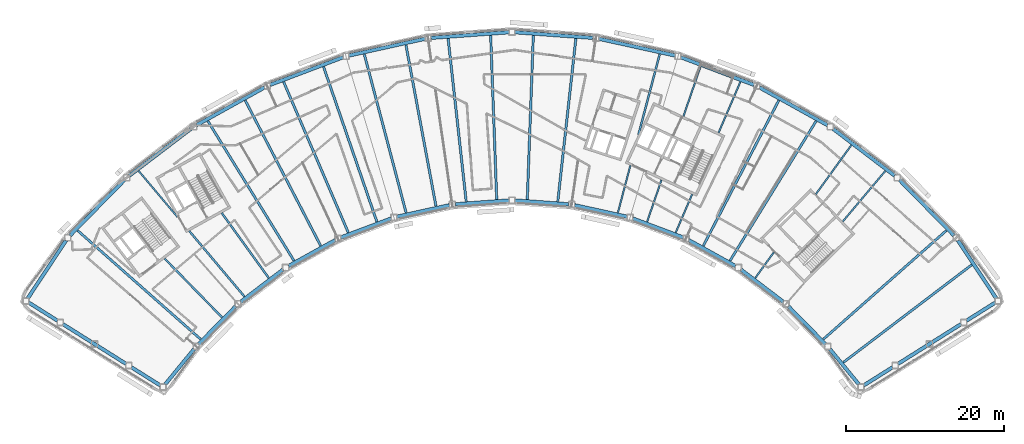
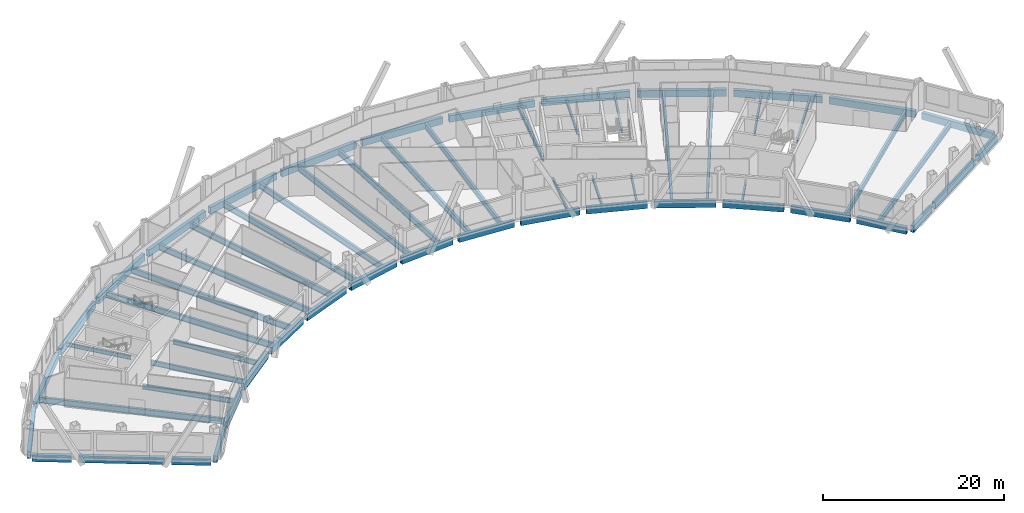
# One storey, part 3 of 14: 62 beams.
"""IFC4 building model written with IfcOpenShell, lengths in metres."""

from ifc_helpers import new_model, si_unit, direction, frame, origin, origin_2d, place, context, subcontext, project, spatial, hollow_rectangle, i_section, extrude, material, material_profile, profile_set, type_object, element, save


model = new_model("IFC4")

# Units and contexts
model_context = context("Model", 3, precision=1e-05, world=origin(), true_north=direction((0.0, 1.0)))
body_context = subcontext(model_context, "Body", "Model", "MODEL_VIEW")
ifc_project = project(units=[si_unit("LENGTHUNIT", "METRE"), si_unit("AREAUNIT", "SQUARE_METRE"), si_unit("VOLUMEUNIT", "CUBIC_METRE"), si_unit("PLANEANGLEUNIT", "RADIAN"), si_unit("MASSUNIT", "GRAM", prefix="KILO")], contexts=[model_context])

# Site, building, storey
site_placement = place(None, origin())
site = spatial("IfcSite", under=ifc_project, at=site_placement, CompositionType="ELEMENT")
building_placement = place(site_placement, origin())
building = spatial("IfcBuilding", under=site, at=building_placement, Name="Tuul Gate Civic Tower", CompositionType="ELEMENT")
storey_placement = place(building_placement, frame((0.0, 0.0, 256.800048828125)))
storey = spatial("IfcBuildingStorey", under=building, at=storey_placement, Name="Level 58", CompositionType="ELEMENT", Elevation=256.800048828125)

# Beams
ifc_material_1 = material(Name="Steel S355", Category="steel")
ifc_material_profile_1 = material_profile(ifc_material_1, i_section(OverallWidth=0.199951171875, OverallDepth=0.5, WebThickness=0.010009765625, FlangeThickness=0.01611328125, at=origin_2d()), Name="PG500x200x10x16")
ifc_profile_set_1 = profile_set([ifc_material_profile_1], Name="Steel S355")
beam_type_1 = type_object("IfcBeamType", Name="STR-FLOOR BEAM-PG500x200x10x16", PredefinedType="BEAM", material=ifc_profile_set_1)
beam_1_placement = place(storey_placement, frame((53.012939453125, -10.570068359375, -0.550048828125), z_axis=(0.644124963716, 0.764920277622, 0.0), x_axis=(-0.764920277622, 0.644124963716, 0.0)))
element("IfcBeam", 1, at=beam_1_placement, inside=storey, type_object=beam_type_1, Name="Floor beam", PredefinedType="BEAM", context=body_context, shape_type="SweptSolid", body=[
    extrude(i_section(OverallWidth=0.199951171875, OverallDepth=0.5, WebThickness=0.010009765625, FlangeThickness=0.01611328125, at=origin_2d()), origin(), (0.0, 0.0, 1.0), 8.367431640625),
])
beam_2_placement = place(storey_placement, frame((41.900390625, -17.74755859375, -0.550048828125), z_axis=(0.58608498793, 0.810249583106, 0.0), x_axis=(-0.810249583106, 0.58608498793, 0.0)))
element("IfcBeam", 2, at=beam_2_placement, inside=storey, type_object=beam_type_1, Name="Floor beam", PredefinedType="BEAM", context=body_context, shape_type="SweptSolid", body=[
    extrude(i_section(OverallWidth=0.199951171875, OverallDepth=0.5, WebThickness=0.010009765625, FlangeThickness=0.01611328125, at=origin_2d()), origin(), (0.0, 0.0, 1.0), 4.017822265625),
])
beam_3_placement = place(storey_placement, frame((49.606201171875, -7.094482421875, -0.550048828125), z_axis=(0.586082829809, 0.810251144154, 0.0), x_axis=(-0.810251144154, 0.586082829809, 0.0)))
element("IfcBeam", 3, at=beam_3_placement, inside=storey, type_object=beam_type_1, Name="Floor beam", PredefinedType="BEAM", context=body_context, shape_type="SweptSolid", body=[
    extrude(i_section(OverallWidth=0.199951171875, OverallDepth=0.5, WebThickness=0.010009765625, FlangeThickness=0.01611328125, at=origin_2d()), origin(), (0.0, 0.0, 1.0), 7.658447265625),
])
beam_4_placement = place(storey_placement, frame((31.8076171875, -11.986328125, -0.550048828125), z_axis=(0.394180828633, 0.919032901663, 0.0), x_axis=(-0.919032901663, 0.394180828633, 0.0)))
element("IfcBeam", 4, at=beam_4_placement, inside=storey, type_object=beam_type_1, Name="Floor beam", PredefinedType="BEAM", context=body_context, shape_type="SweptSolid", body=[
    extrude(i_section(OverallWidth=0.199951171875, OverallDepth=0.5, WebThickness=0.010009765625, FlangeThickness=0.01611328125, at=origin_2d()), origin(), (0.0, 0.0, 1.0), 5.294921875),
])
beam_5_placement = place(storey_placement, frame((37.247314453125, 0.695556640625, -0.550048828125), z_axis=(0.394187897698, 0.91902986965, 0.0), x_axis=(-0.91902986965, 0.394187897698, 0.0)))
element("IfcBeam", 5, at=beam_5_placement, inside=storey, type_object=beam_type_1, Name="Floor beam", PredefinedType="BEAM", context=body_context, shape_type="SweptSolid", body=[
    extrude(i_section(OverallWidth=0.199951171875, OverallDepth=0.5, WebThickness=0.010009765625, FlangeThickness=0.01611328125, at=origin_2d()), origin(), (0.0, 0.0, 1.0), 7.020263671875),
])
beam_6_placement = place(storey_placement, frame((28.17724609375, -10.613525390625, -0.550048828125), z_axis=(0.32546385433, 0.945554482579, 0.0), x_axis=(-0.945554482579, 0.32546385433, 0.0)))
element("IfcBeam", 6, at=beam_6_placement, inside=storey, type_object=beam_type_1, Name="Floor beam", PredefinedType="BEAM", context=body_context, shape_type="SweptSolid", body=[
    extrude(i_section(OverallWidth=0.199951171875, OverallDepth=0.5, WebThickness=0.010009765625, FlangeThickness=0.01611328125, at=origin_2d()), origin(), (0.0, 0.0, 1.0), 5.61328125),
])
beam_7_placement = place(storey_placement, frame((32.7861328125, 2.775634765625, -0.550048828125), z_axis=(0.325498409491, 0.94554258784, 0.0), x_axis=(-0.94554258784, 0.325498409491, 0.0)))
element("IfcBeam", 7, at=beam_7_placement, inside=storey, type_object=beam_type_1, Name="Floor beam", PredefinedType="BEAM", context=body_context, shape_type="SweptSolid", body=[
    extrude(i_section(OverallWidth=0.199951171875, OverallDepth=0.5, WebThickness=0.010009765625, FlangeThickness=0.01611328125, at=origin_2d()), origin(), (0.0, 0.0, 1.0), 6.649169921875),
])
beam_8_placement = place(storey_placement, frame((24.469482421875, -9.467041015625, -0.550048828125), z_axis=(0.254996491749, 0.966941978195, 0.0), x_axis=(-0.966941978195, 0.254996491749, 0.0)))
element("IfcBeam", 8, at=beam_8_placement, inside=storey, type_object=beam_type_1, Name="Floor beam", PredefinedType="BEAM", context=body_context, shape_type="SweptSolid", body=[
    extrude(i_section(OverallWidth=0.199951171875, OverallDepth=0.5, WebThickness=0.010009765625, FlangeThickness=0.01611328125, at=origin_2d()), origin(), (0.0, 0.0, 1.0), 6.208984375),
])
beam_9_placement = place(storey_placement, frame((-31.43212890625, -9.998779296875, -0.550048828125), z_axis=(-0.644120948452, 0.764923658782, 0.0), x_axis=(-0.764923658782, -0.644120948452, 0.0)))
element("IfcBeam", 9, at=beam_9_placement, inside=storey, type_object=beam_type_1, Name="Floor beam", PredefinedType="BEAM", context=body_context, shape_type="SweptSolid", body=[
    extrude(i_section(OverallWidth=0.199951171875, OverallDepth=0.5, WebThickness=0.010009765625, FlangeThickness=0.01611328125, at=origin_2d()), origin(), (0.0, 0.0, 1.0), 7.62109375),
])
ifc_material_2 = material(Name="Steel S355", Category="steel")
ifc_material_profile_2 = material_profile(ifc_material_2, i_section(OverallWidth=0.25, OverallDepth=0.64990234375, WebThickness=0.011962890625, FlangeThickness=0.02001953125, at=origin_2d()), Name="PG650x250x12x20")
ifc_profile_set_2 = profile_set([ifc_material_profile_2], Name="Steel S355")
beam_type_2 = type_object("IfcBeamType", Name="STR-FLOOR BEAM-PG650x250x12x20", PredefinedType="BEAM", material=ifc_profile_set_2)
beam_10_placement = place(storey_placement, frame((27.08447265625, 0.44873046875, -0.625), z_axis=(0.255007501185, 0.966939074782, 0.0), x_axis=(-0.966939074782, 0.255007501185, 0.0)))
element("IfcBeam", 10, at=beam_10_placement, inside=storey, type_object=beam_type_2, Name="Floor beam", PredefinedType="BEAM", context=body_context, shape_type="SweptSolid", body=[
    extrude(i_section(OverallWidth=0.25, OverallDepth=0.64990234375, WebThickness=0.011962890625, FlangeThickness=0.02001953125, at=origin_2d()), origin(), (0.0, 0.0, 1.0), 10.562744140625),
])
beam_11_placement = place(storey_placement, frame((-19.838623046875, -17.747314453125, -0.625), z_axis=(-0.586080278924, 0.810252989292, 0.0), x_axis=(-0.810252989292, -0.586080278924, 0.0)))
element("IfcBeam", 11, at=beam_11_placement, inside=storey, type_object=beam_type_2, Name="Floor beam", PredefinedType="BEAM", context=body_context, shape_type="SweptSolid", body=[
    extrude(i_section(OverallWidth=0.25, OverallDepth=0.64990234375, WebThickness=0.011962890625, FlangeThickness=0.02001953125, at=origin_2d()), origin(), (0.0, 0.0, 1.0), 10.18505859375),
])
beam_12_placement = place(storey_placement, frame((-22.927001953125, -20.0986328125, -0.625), z_axis=(-0.644130906332, 0.764915273418, 0.0), x_axis=(-0.764915273418, -0.644130906332, 0.0)))
element("IfcBeam", 12, at=beam_12_placement, inside=storey, type_object=beam_type_2, Name="Floor beam", PredefinedType="BEAM", context=body_context, shape_type="SweptSolid", body=[
    extrude(i_section(OverallWidth=0.25, OverallDepth=0.64990234375, WebThickness=0.011962890625, FlangeThickness=0.02001953125, at=origin_2d()), origin(), (0.0, 0.0, 1.0), 10.87451171875),
])
beam_13_placement = place(storey_placement, frame((-25.767333984375, -22.744140625, -0.625), z_axis=(-0.698680484376, 0.715433840933, 0.0), x_axis=(-0.715433840933, -0.698680484376, 0.0)))
element("IfcBeam", 13, at=beam_13_placement, inside=storey, type_object=beam_type_2, Name="Floor beam", PredefinedType="BEAM", context=body_context, shape_type="SweptSolid", body=[
    extrude(i_section(OverallWidth=0.25, OverallDepth=0.64990234375, WebThickness=0.011962890625, FlangeThickness=0.02001953125, at=origin_2d()), origin(), (0.0, 0.0, 1.0), 10.43408203125),
])
ifc_material_3 = material(Name="Steel S355", Category="steel")
ifc_material_profile_3 = material_profile(ifc_material_3, i_section(OverallWidth=0.300048828125, OverallDepth=0.800048828125, WebThickness=0.013916015625, FlangeThickness=0.02490234375, at=origin_2d()), Name="PG800x300x14x25")
ifc_profile_set_3 = profile_set([ifc_material_profile_3], Name="Steel S355")
beam_type_3 = type_object("IfcBeamType", Name="STR-FLOOR BEAM-PG800x300x14x25", PredefinedType="BEAM", material=ifc_profile_set_3)
beam_14_placement = place(storey_placement, frame((53.0859375, -28.4609375, -0.699951171875), z_axis=(0.796147939121, 0.605102023657, 0.0), x_axis=(-0.605102023657, 0.796147939121, 0.0)))
element("IfcBeam", 14, at=beam_14_placement, inside=storey, type_object=beam_type_3, Name="Floor beam", PredefinedType="BEAM", context=body_context, shape_type="SweptSolid", body=[
    extrude(i_section(OverallWidth=0.300048828125, OverallDepth=0.800048828125, WebThickness=0.013916015625, FlangeThickness=0.02490234375, at=origin_2d()), origin(), (0.0, 0.0, 1.0), 20.4619140625),
])
beam_15_placement = place(storey_placement, frame((50.546630859375, -25.51611328125, -0.699951171875), z_axis=(0.749454599758, 0.662055740026, 0.0), x_axis=(-0.662055740026, 0.749454599758, 0.0)))
element("IfcBeam", 15, at=beam_15_placement, inside=storey, type_object=beam_type_3, Name="Floor beam", PredefinedType="BEAM", context=body_context, shape_type="SweptSolid", body=[
    extrude(i_section(OverallWidth=0.300048828125, OverallDepth=0.800048828125, WebThickness=0.013916015625, FlangeThickness=0.02490234375, at=origin_2d()), origin(), (0.0, 0.0, 1.0), 20.82763671875),
])
beam_16_placement = place(storey_placement, frame((38.69677734375, -15.556396484375, -0.699951171875), z_axis=(0.524851468826, 0.851193829672, 0.0), x_axis=(-0.851193829672, 0.524851468826, 0.0)))
element("IfcBeam", 16, at=beam_16_placement, inside=storey, type_object=beam_type_3, Name="Floor beam", PredefinedType="BEAM", context=body_context, shape_type="SweptSolid", body=[
    extrude(i_section(OverallWidth=0.300048828125, OverallDepth=0.800048828125, WebThickness=0.013916015625, FlangeThickness=0.02490234375, at=origin_2d()), origin(), (0.0, 0.0, 1.0), 20.822998046875),
])
beam_17_placement = place(storey_placement, frame((35.30224609375, -13.67431640625, -0.699951171875), z_axis=(0.460781503105, 0.887513609133, 0.0), x_axis=(-0.887513609133, 0.460781503105, 0.0)))
element("IfcBeam", 17, at=beam_17_placement, inside=storey, type_object=beam_type_3, Name="Floor beam", PredefinedType="BEAM", context=body_context, shape_type="SweptSolid", body=[
    extrude(i_section(OverallWidth=0.300048828125, OverallDepth=0.800048828125, WebThickness=0.013916015625, FlangeThickness=0.02490234375, at=origin_2d()), origin(), (0.0, 0.0, 1.0), 20.807861328125),
])
beam_18_placement = place(storey_placement, frame((16.84228515625, -8.052001953125, -0.699951171875), z_axis=(0.110274472783, 0.993901172478, 0.0), x_axis=(-0.993901172478, 0.110274472783, 0.0)))
element("IfcBeam", 18, at=beam_18_placement, inside=storey, type_object=beam_type_3, Name="Floor beam", PredefinedType="BEAM", context=body_context, shape_type="SweptSolid", body=[
    extrude(i_section(OverallWidth=0.300048828125, OverallDepth=0.800048828125, WebThickness=0.013916015625, FlangeThickness=0.02490234375, at=origin_2d()), origin(), (0.0, 0.0, 1.0), 20.8154296875),
])
for number, where, z_axis, x_axis, name in (
    (19, (12.971435546875, -7.771728515625, -0.699951171875), (0.036820764609, 0.999321885727, 0.0), (-0.999321885727, 0.036820764609, 0.0), "Floor beam"),
    (20, (9.090576171875, -7.771728515625, -0.699951171875), (-0.036832478792, 0.999321454041, 0.0), (-0.999321454041, -0.036832478792, 0.0), "Floor beam"),
):
    element("IfcBeam", number, at=place(storey_placement, frame(where, z_axis=z_axis, x_axis=x_axis)), inside=storey, type_object=beam_type_3, Name=name, PredefinedType="BEAM", context=body_context, shape_type="SweptSolid", body=[
        extrude(i_section(OverallWidth=0.300048828125, OverallDepth=0.800048828125, WebThickness=0.013916015625, FlangeThickness=0.02490234375, at=origin_2d()), origin(), (0.0, 0.0, 1.0), 20.813232421875),
    ])
beam_19_placement = place(storey_placement, frame((5.2197265625, -8.052001953125, -0.699951171875), z_axis=(-0.110286058964, 0.993899886909, 0.0), x_axis=(-0.993899886909, -0.110286058964, 0.0)))
element("IfcBeam", 21, at=beam_19_placement, inside=storey, type_object=beam_type_3, Name="Floor beam", PredefinedType="BEAM", context=body_context, shape_type="SweptSolid", body=[
    extrude(i_section(OverallWidth=0.300048828125, OverallDepth=0.800048828125, WebThickness=0.013916015625, FlangeThickness=0.02490234375, at=origin_2d()), origin(), (0.0, 0.0, 1.0), 20.8154296875),
])
beam_20_placement = place(storey_placement, frame((1.38232421875, -8.631591796875, -0.699951171875), z_axis=(-0.1831360046, 0.983087587054, 0.0), x_axis=(-0.983087587054, -0.1831360046, 0.0)))
element("IfcBeam", 22, at=beam_20_placement, inside=storey, type_object=beam_type_3, Name="Floor beam", PredefinedType="BEAM", context=body_context, shape_type="SweptSolid", body=[
    extrude(i_section(OverallWidth=0.300048828125, OverallDepth=0.800048828125, WebThickness=0.013916015625, FlangeThickness=0.02490234375, at=origin_2d()), origin(), (0.0, 0.0, 1.0), 20.811279296875),
])
beam_21_placement = place(storey_placement, frame((-2.40771484375, -9.467041015625, -0.699951171875), z_axis=(-0.255004720301, 0.96693980817, 0.0), x_axis=(-0.96693980817, -0.255004720301, 0.0)))
element("IfcBeam", 23, at=beam_21_placement, inside=storey, type_object=beam_type_3, Name="Floor beam", PredefinedType="BEAM", context=body_context, shape_type="SweptSolid", body=[
    extrude(i_section(OverallWidth=0.300048828125, OverallDepth=0.800048828125, WebThickness=0.013916015625, FlangeThickness=0.02490234375, at=origin_2d()), origin(), (0.0, 0.0, 1.0), 20.817626953125),
])
beam_22_placement = place(storey_placement, frame((-6.115478515625, -10.613525390625, -0.699951171875), z_axis=(-0.325476485131, 0.945550134909, 0.0), x_axis=(-0.945550134909, -0.325476485131, 0.0)))
element("IfcBeam", 24, at=beam_22_placement, inside=storey, type_object=beam_type_3, Name="Floor beam", PredefinedType="BEAM", context=body_context, shape_type="SweptSolid", body=[
    extrude(i_section(OverallWidth=0.300048828125, OverallDepth=0.800048828125, WebThickness=0.013916015625, FlangeThickness=0.02490234375, at=origin_2d()), origin(), (0.0, 0.0, 1.0), 20.809326171875),
])
beam_23_placement = place(storey_placement, frame((-9.74560546875, -11.986328125, -0.699951171875), z_axis=(-0.394206576273, 0.919021857859, 0.0), x_axis=(-0.919021857859, -0.394206576273, 0.0)))
element("IfcBeam", 25, at=beam_23_placement, inside=storey, type_object=beam_type_3, Name="Floor beam", PredefinedType="BEAM", context=body_context, shape_type="SweptSolid", body=[
    extrude(i_section(OverallWidth=0.300048828125, OverallDepth=0.800048828125, WebThickness=0.013916015625, FlangeThickness=0.02490234375, at=origin_2d()), origin(), (0.0, 0.0, 1.0), 20.81982421875),
])
beam_24_placement = place(storey_placement, frame((-13.240478515625, -13.674072265625, -0.699951171875), z_axis=(-0.460777059353, 0.887515916237, 0.0), x_axis=(-0.887515916237, -0.460777059353, 0.0)))
element("IfcBeam", 26, at=beam_24_placement, inside=storey, type_object=beam_type_3, Name="Floor beam", PredefinedType="BEAM", context=body_context, shape_type="SweptSolid", body=[
    extrude(i_section(OverallWidth=0.300048828125, OverallDepth=0.800048828125, WebThickness=0.013916015625, FlangeThickness=0.02490234375, at=origin_2d()), origin(), (0.0, 0.0, 1.0), 20.8076171875),
])
beam_25_placement = place(storey_placement, frame((-16.63525390625, -15.55615234375, -0.699951171875), z_axis=(-0.524839716817, 0.851201075922, 0.0), x_axis=(-0.851201075922, -0.524839716817, 0.0)))
element("IfcBeam", 27, at=beam_25_placement, inside=storey, type_object=beam_type_3, Name="Floor beam", PredefinedType="BEAM", context=body_context, shape_type="SweptSolid", body=[
    extrude(i_section(OverallWidth=0.300048828125, OverallDepth=0.800048828125, WebThickness=0.013916015625, FlangeThickness=0.02490234375, at=origin_2d()), origin(), (0.0, 0.0, 1.0), 20.822509765625),
])
beam_26_placement = place(storey_placement, frame((-28.48486328125, -25.51611328125, -0.699951171875), z_axis=(-0.749449461751, 0.662061556263, 0.0), x_axis=(-0.662061556263, -0.749449461751, 0.0)))
element("IfcBeam", 28, at=beam_26_placement, inside=storey, type_object=beam_type_3, Name="Floor beam", PredefinedType="BEAM", context=body_context, shape_type="SweptSolid", body=[
    extrude(i_section(OverallWidth=0.300048828125, OverallDepth=0.800048828125, WebThickness=0.013916015625, FlangeThickness=0.02490234375, at=origin_2d()), origin(), (0.0, 0.0, 1.0), 20.827392578125),
])
ifc_material_4 = material(Name="Steel S355", Category="steel")
ifc_material_profile_4 = material_profile(ifc_material_4, hollow_rectangle(XDim=0.449951171875, YDim=0.89990234375, WallThickness=0.02490234375, at=origin_2d()), Name="BOX900x450x25")
ifc_profile_set_4 = profile_set([ifc_material_profile_4], Name="Steel S355")
beam_type_4 = type_object("IfcBeamType", Name="STR-SPANDREL BEAM-BOX900x450x25", PredefinedType="BEAM", material=ifc_profile_set_4)
beam_27_placement = place(storey_placement, frame((72.4814453125, -20.3203125, -0.75), z_axis=(-0.551644580762, 0.834079286708, 0.0), x_axis=(-0.834079286708, -0.551644580762, 0.0)))
element("IfcBeam", 29, at=beam_27_placement, inside=storey, type_object=beam_type_4, Name="Spandrel beam", PredefinedType="BEAM", context=body_context, shape_type="SweptSolid", body=[
    extrude(hollow_rectangle(XDim=0.449951171875, YDim=0.89990234375, WallThickness=0.02490234375, at=origin_2d()), origin(), (0.0, 0.0, 1.0), 8.805908203125),
])
beam_28_placement = place(storey_placement, frame((67.123046875, -12.3564453125, -0.75), z_axis=(-0.700052630296, 0.714091251042, 0.0), x_axis=(-0.714091251042, -0.700052630296, 0.0)))
element("IfcBeam", 30, at=beam_28_placement, inside=storey, type_object=beam_type_4, Name="Spandrel beam", PredefinedType="BEAM", context=body_context, shape_type="SweptSolid", body=[
    extrude(hollow_rectangle(XDim=0.449951171875, YDim=0.89990234375, WallThickness=0.02490234375, at=origin_2d()), origin(), (0.0, 0.0, 1.0), 9.8779296875),
])
beam_29_placement = place(storey_placement, frame((59.60986328125, -4.774658203125, -0.75), z_axis=(-0.795586019059, 0.605840644294, 0.0), x_axis=(-0.605840644294, -0.795586019059, 0.0)))
element("IfcBeam", 31, at=beam_29_placement, inside=storey, type_object=beam_type_4, Name="Spandrel beam", PredefinedType="BEAM", context=body_context, shape_type="SweptSolid", body=[
    extrude(hollow_rectangle(XDim=0.449951171875, YDim=0.89990234375, WallThickness=0.02490234375, at=origin_2d()), origin(), (0.0, 0.0, 1.0), 9.877685546875),
])
beam_30_placement = place(storey_placement, frame((51.083251953125, 1.64599609375, -0.75), z_axis=(-0.874631416408, 0.484788495565, 0.0), x_axis=(-0.484788495565, -0.874631416408, 0.0)))
element("IfcBeam", 32, at=beam_30_placement, inside=storey, type_object=beam_type_4, Name="Spandrel beam", PredefinedType="BEAM", context=body_context, shape_type="SweptSolid", body=[
    extrude(hollow_rectangle(XDim=0.449951171875, YDim=0.89990234375, WallThickness=0.02490234375, at=origin_2d()), origin(), (0.0, 0.0, 1.0), 9.876708984375),
])
beam_31_placement = place(storey_placement, frame((41.720947265625, 6.76953125, -0.75), z_axis=(-0.935348375613, 0.353727884451, 0.0), x_axis=(-0.353727884451, -0.935348375613, 0.0)))
element("IfcBeam", 33, at=beam_31_placement, inside=storey, type_object=beam_type_4, Name="Spandrel beam", PredefinedType="BEAM", context=body_context, shape_type="SweptSolid", body=[
    extrude(hollow_rectangle(XDim=0.449951171875, YDim=0.89990234375, WallThickness=0.02490234375, at=origin_2d()), origin(), (0.0, 0.0, 1.0), 9.87744140625),
])
beam_32_placement = place(storey_placement, frame((31.71728515625, 10.490966796875, -0.75), z_axis=(-0.976565880984, 0.215218679716, 0.0), x_axis=(-0.215218679716, -0.976565880984, 0.0)))
element("IfcBeam", 34, at=beam_32_placement, inside=storey, type_object=beam_type_4, Name="Spandrel beam", PredefinedType="BEAM", context=body_context, shape_type="SweptSolid", body=[
    extrude(hollow_rectangle(XDim=0.449951171875, YDim=0.89990234375, WallThickness=0.02490234375, at=origin_2d()), origin(), (0.0, 0.0, 1.0), 9.878173828125),
])
beam_33_placement = place(storey_placement, frame((21.281005859375, 12.73193359375, -0.75), z_axis=(-0.997389983978, 0.072202630563, 0.0), x_axis=(-0.072202630563, -0.997389983978, 0.0)))
element("IfcBeam", 35, at=beam_33_placement, inside=storey, type_object=beam_type_4, Name="Spandrel beam", PredefinedType="BEAM", context=body_context, shape_type="SweptSolid", body=[
    extrude(hollow_rectangle(XDim=0.449951171875, YDim=0.89990234375, WallThickness=0.02490234375, at=origin_2d()), origin(), (0.0, 0.0, 1.0), 9.876953125),
])
beam_34_placement = place(storey_placement, frame((10.632080078125, 13.445068359375, -0.75), z_axis=(-0.997390499353, -0.072195510943, 0.0), x_axis=(0.072195510943, -0.997390499353, 0.0)))
element("IfcBeam", 36, at=beam_34_placement, inside=storey, type_object=beam_type_4, Name="Spandrel beam", PredefinedType="BEAM", context=body_context, shape_type="SweptSolid", body=[
    extrude(hollow_rectangle(XDim=0.449951171875, YDim=0.89990234375, WallThickness=0.02490234375, at=origin_2d()), origin(), (0.0, 0.0, 1.0), 9.8779296875),
])
beam_35_placement = place(storey_placement, frame((-0.009521484375, 12.616943359375, -0.75), z_axis=(-0.97656649642, -0.215215887123, 0.0), x_axis=(0.215215887123, -0.97656649642, 0.0)))
element("IfcBeam", 37, at=beam_35_placement, inside=storey, type_object=beam_type_4, Name="Spandrel beam", PredefinedType="BEAM", context=body_context, shape_type="SweptSolid", body=[
    extrude(hollow_rectangle(XDim=0.449951171875, YDim=0.89990234375, WallThickness=0.02490234375, at=origin_2d()), origin(), (0.0, 0.0, 1.0), 9.877197265625),
])
beam_36_placement = place(storey_placement, frame((-10.420166015625, 10.263427734375, -0.75), z_axis=(-0.935348375613, -0.353727884451, 0.0), x_axis=(0.353727884451, -0.935348375613, 0.0)))
element("IfcBeam", 38, at=beam_36_placement, inside=storey, type_object=beam_type_4, Name="Spandrel beam", PredefinedType="BEAM", context=body_context, shape_type="SweptSolid", body=[
    extrude(hollow_rectangle(XDim=0.449951171875, YDim=0.89990234375, WallThickness=0.02490234375, at=origin_2d()), origin(), (0.0, 0.0, 1.0), 9.87744140625),
])
beam_37_placement = place(storey_placement, frame((-20.3828125, 6.43408203125, -0.75), z_axis=(-0.874631416408, -0.484788495565, 0.0), x_axis=(0.484788495565, -0.874631416408, 0.0)))
element("IfcBeam", 39, at=beam_37_placement, inside=storey, type_object=beam_type_4, Name="Spandrel beam", PredefinedType="BEAM", context=body_context, shape_type="SweptSolid", body=[
    extrude(hollow_rectangle(XDim=0.449951171875, YDim=0.89990234375, WallThickness=0.02490234375, at=origin_2d()), origin(), (0.0, 0.0, 1.0), 9.876708984375),
])
beam_38_placement = place(storey_placement, frame((-29.689208984375, 1.209716796875, -0.75), z_axis=(-0.795622302229, -0.605792994509, 0.0), x_axis=(0.605792994509, -0.795622302229, 0.0)))
element("IfcBeam", 40, at=beam_38_placement, inside=storey, type_object=beam_type_4, Name="Spandrel beam", PredefinedType="BEAM", context=body_context, shape_type="SweptSolid", body=[
    extrude(hollow_rectangle(XDim=0.449951171875, YDim=0.89990234375, WallThickness=0.02490234375, at=origin_2d()), origin(), (0.0, 0.0, 1.0), 9.878662109375),
])
beam_39_placement = place(storey_placement, frame((-38.14697265625, -5.302734375, -0.75), z_axis=(-0.700002211949, -0.714140674704, 0.0), x_axis=(0.714140674704, -0.700002211949, 0.0)))
element("IfcBeam", 41, at=beam_39_placement, inside=storey, type_object=beam_type_4, Name="Spandrel beam", PredefinedType="BEAM", context=body_context, shape_type="SweptSolid", body=[
    extrude(hollow_rectangle(XDim=0.449951171875, YDim=0.89990234375, WallThickness=0.02490234375, at=origin_2d()), origin(), (0.0, 0.0, 1.0), 9.877197265625),
])
beam_40_placement = place(storey_placement, frame((-45.561767578125, -12.9755859375, -0.75), z_axis=(-0.551644580762, -0.834079286708, 0.0), x_axis=(0.834079286708, -0.551644580762, 0.0)))
element("IfcBeam", 42, at=beam_40_placement, inside=storey, type_object=beam_type_4, Name="Spandrel beam", PredefinedType="BEAM", context=body_context, shape_type="SweptSolid", body=[
    extrude(hollow_rectangle(XDim=0.449951171875, YDim=0.89990234375, WallThickness=0.02490234375, at=origin_2d()), origin(), (0.0, 0.0, 1.0), 8.805908203125),
])
beam_41_placement = place(storey_placement, frame((-50.301513671875, -20.8671875, -0.75), z_axis=(0.84613117079, -0.532974710298, 0.0), x_axis=(0.532974710298, 0.84613117079, 0.0)))
element("IfcBeam", 43, at=beam_41_placement, inside=storey, type_object=beam_type_4, Name="Spandrel beam", PredefinedType="BEAM", context=body_context, shape_type="SweptSolid", body=[
    extrude(hollow_rectangle(XDim=0.449951171875, YDim=0.89990234375, WallThickness=0.02490234375, at=origin_2d()), origin(), (0.0, 0.0, 1.0), 4.33154296875),
])
beam_42_placement = place(storey_placement, frame((-45.95947265625, -23.60205078125, -0.75), z_axis=(0.84620354352, -0.532859796695, 0.0), x_axis=(0.532859796695, 0.84620354352, 0.0)))
element("IfcBeam", 44, at=beam_42_placement, inside=storey, type_object=beam_type_4, Name="Spandrel beam", PredefinedType="BEAM", context=body_context, shape_type="SweptSolid", body=[
    extrude(hollow_rectangle(XDim=0.449951171875, YDim=0.89990234375, WallThickness=0.02490234375, at=origin_2d()), origin(), (0.0, 0.0, 1.0), 9.463623046875),
])
beam_43_placement = place(storey_placement, frame((-37.2744140625, -29.071044921875, -0.75), z_axis=(0.846271424817, -0.532751983138, 0.0), x_axis=(0.532751983138, 0.846271424817, 0.0)))
element("IfcBeam", 45, at=beam_43_placement, inside=storey, type_object=beam_type_4, Name="Spandrel beam", PredefinedType="BEAM", context=body_context, shape_type="SweptSolid", body=[
    extrude(hollow_rectangle(XDim=0.449951171875, YDim=0.89990234375, WallThickness=0.02490234375, at=origin_2d()), origin(), (0.0, 0.0, 1.0), 4.33203125),
])
beam_44_placement = place(storey_placement, frame((-33.016357421875, -31.28271484375, -0.75), z_axis=(0.63442976414, 0.772980513579, 0.0), x_axis=(-0.772980513579, 0.63442976414, 0.0)))
element("IfcBeam", 46, at=beam_44_placement, inside=storey, type_object=beam_type_4, Name="Spandrel beam", PredefinedType="BEAM", context=body_context, shape_type="SweptSolid", body=[
    extrude(hollow_rectangle(XDim=0.449951171875, YDim=0.89990234375, WallThickness=0.02490234375, at=origin_2d()), origin(), (0.0, 0.0, 1.0), 5.85205078125),
])
beam_45_placement = place(storey_placement, frame((-28.77001953125, -26.164306640625, -0.75), z_axis=(0.700025402034, 0.714117942995, 0.0), x_axis=(-0.714117942995, 0.700025402034, 0.0)))
element("IfcBeam", 47, at=beam_45_placement, inside=storey, type_object=beam_type_4, Name="Spandrel beam", PredefinedType="BEAM", context=body_context, shape_type="SweptSolid", body=[
    extrude(hollow_rectangle(XDim=0.449951171875, YDim=0.89990234375, WallThickness=0.02490234375, at=origin_2d()), origin(), (0.0, 0.0, 1.0), 6.791015625),
])
beam_46_placement = place(storey_placement, frame((-23.417724609375, -20.78662109375, -0.75), z_axis=(0.795626424775, 0.605787580098, 0.0), x_axis=(-0.605787580098, 0.795626424775, 0.0)))
element("IfcBeam", 48, at=beam_46_placement, inside=storey, type_object=beam_type_4, Name="Spandrel beam", PredefinedType="BEAM", context=body_context, shape_type="SweptSolid", body=[
    extrude(hollow_rectangle(XDim=0.449951171875, YDim=0.89990234375, WallThickness=0.02490234375, at=origin_2d()), origin(), (0.0, 0.0, 1.0), 6.79150390625),
])
beam_47_placement = place(storey_placement, frame((-17.34619140625, -16.236083984375, -0.75), z_axis=(0.87459604926, 0.484852297734, 0.0), x_axis=(-0.484852297734, 0.87459604926, 0.0)))
element("IfcBeam", 49, at=beam_47_placement, inside=storey, type_object=beam_type_4, Name="Spandrel beam", PredefinedType="BEAM", context=body_context, shape_type="SweptSolid", body=[
    extrude(hollow_rectangle(XDim=0.449951171875, YDim=0.89990234375, WallThickness=0.02490234375, at=origin_2d()), origin(), (0.0, 0.0, 1.0), 6.792236328125),
])
beam_48_placement = place(storey_placement, frame((-10.681884765625, -12.607421875, -0.75), z_axis=(0.935378837958, 0.353647323617, 0.0), x_axis=(-0.353647323617, 0.935378837958, 0.0)))
element("IfcBeam", 50, at=beam_48_placement, inside=storey, type_object=beam_type_4, Name="Spandrel beam", PredefinedType="BEAM", context=body_context, shape_type="SweptSolid", body=[
    extrude(hollow_rectangle(XDim=0.449951171875, YDim=0.89990234375, WallThickness=0.02490234375, at=origin_2d()), origin(), (0.0, 0.0, 1.0), 6.791748046875),
])
for number, where, z_axis, x_axis, name in (
    (51, (-3.564453125, -9.97802734375, -0.75), (0.976561119915, 0.215240282172, 0.0), (-0.215240282172, 0.976561119915, 0.0), "Spandrel beam"),
    (52, (3.85791015625, -8.401123046875, -0.75), (0.997391663711, 0.072179423387, 0.0), (-0.072179423387, 0.997391663711, 0.0), "Spandrel beam"),
    (53, (11.429931640625, -7.910888671875, -0.75), (0.997391663711, -0.072179423387, 0.0), (0.072179423387, 0.997391663711, 0.0), "Spandrel beam"),
    (54, (18.99365234375, -8.51611328125, -0.75), (0.976561119915, -0.215240282172, 0.0), (0.215240282172, 0.976561119915, 0.0), "Spandrel beam"),
):
    element("IfcBeam", number, at=place(storey_placement, frame(where, z_axis=z_axis, x_axis=x_axis)), inside=storey, type_object=beam_type_4, Name=name, PredefinedType="BEAM", context=body_context, shape_type="SweptSolid", body=[
        extrude(hollow_rectangle(XDim=0.449951171875, YDim=0.89990234375, WallThickness=0.02490234375, at=origin_2d()), origin(), (0.0, 0.0, 1.0), 6.7919921875),
    ])
beam_49_placement = place(storey_placement, frame((26.39111328125, -10.20556640625, -0.75), z_axis=(0.935378837958, -0.353647323617, 0.0), x_axis=(0.353647323617, 0.935378837958, 0.0)))
element("IfcBeam", 55, at=beam_49_placement, inside=storey, type_object=beam_type_4, Name="Spandrel beam", PredefinedType="BEAM", context=body_context, shape_type="SweptSolid", body=[
    extrude(hollow_rectangle(XDim=0.449951171875, YDim=0.89990234375, WallThickness=0.02490234375, at=origin_2d()), origin(), (0.0, 0.0, 1.0), 6.791748046875),
])
beam_50_placement = place(storey_placement, frame((33.4677734375, -12.94287109375, -0.75), z_axis=(0.874562243514, -0.484913272885, 0.0), x_axis=(0.484913272885, 0.874562243514, 0.0)))
element("IfcBeam", 56, at=beam_50_placement, inside=storey, type_object=beam_type_4, Name="Spandrel beam", PredefinedType="BEAM", context=body_context, shape_type="SweptSolid", body=[
    extrude(hollow_rectangle(XDim=0.449951171875, YDim=0.89990234375, WallThickness=0.02490234375, at=origin_2d()), origin(), (0.0, 0.0, 1.0), 6.791259765625),
])
beam_51_placement = place(storey_placement, frame((40.0751953125, -16.67236328125, -0.75), z_axis=(0.795679183599, -0.605718281701, 0.0), x_axis=(0.605718281701, 0.795679183599, 0.0)))
element("IfcBeam", 57, at=beam_51_placement, inside=storey, type_object=beam_type_4, Name="Spandrel beam", PredefinedType="BEAM", context=body_context, shape_type="SweptSolid", body=[
    extrude(hollow_rectangle(XDim=0.449951171875, YDim=0.89990234375, WallThickness=0.02490234375, at=origin_2d()), origin(), (0.0, 0.0, 1.0), 6.79248046875),
])
beam_52_placement = place(storey_placement, frame((46.078125, -21.314697265625, -0.75), z_axis=(0.700025402034, -0.714117942995, 0.0), x_axis=(0.714117942995, 0.700025402034, 0.0)))
element("IfcBeam", 58, at=beam_52_placement, inside=storey, type_object=beam_type_4, Name="Spandrel beam", PredefinedType="BEAM", context=body_context, shape_type="SweptSolid", body=[
    extrude(hollow_rectangle(XDim=0.449951171875, YDim=0.89990234375, WallThickness=0.02490234375, at=origin_2d()), origin(), (0.0, 0.0, 1.0), 6.791015625),
])
beam_53_placement = place(storey_placement, frame((51.36572265625, -26.75927734375, -0.75), z_axis=(0.634404835744, -0.773000973081, 0.0), x_axis=(0.773000973081, 0.634404835744, 0.0)))
element("IfcBeam", 59, at=beam_53_placement, inside=storey, type_object=beam_type_4, Name="Spandrel beam", PredefinedType="BEAM", context=body_context, shape_type="SweptSolid", body=[
    extrude(hollow_rectangle(XDim=0.449951171875, YDim=0.89990234375, WallThickness=0.02490234375, at=origin_2d()), origin(), (0.0, 0.0, 1.0), 5.851806640625),
])
beam_54_placement = place(storey_placement, frame((55.67041015625, -31.37890625, -0.75), z_axis=(0.846207423362, 0.532853635295, 0.0), x_axis=(-0.532853635295, 0.846207423362, 0.0)))
element("IfcBeam", 60, at=beam_54_placement, inside=storey, type_object=beam_type_4, Name="Spandrel beam", PredefinedType="BEAM", context=body_context, shape_type="SweptSolid", body=[
    extrude(hollow_rectangle(XDim=0.449951171875, YDim=0.89990234375, WallThickness=0.02490234375, at=origin_2d()), origin(), (0.0, 0.0, 1.0), 4.3310546875),
])
beam_55_placement = place(storey_placement, frame((60.012451171875, -28.644775390625, -0.75), z_axis=(0.84620354352, 0.532859796695, 0.0), x_axis=(-0.532859796695, 0.84620354352, 0.0)))
element("IfcBeam", 61, at=beam_55_placement, inside=storey, type_object=beam_type_4, Name="Spandrel beam", PredefinedType="BEAM", context=body_context, shape_type="SweptSolid", body=[
    extrude(hollow_rectangle(XDim=0.449951171875, YDim=0.89990234375, WallThickness=0.02490234375, at=origin_2d()), origin(), (0.0, 0.0, 1.0), 9.463623046875),
])
beam_56_placement = place(storey_placement, frame((68.697509765625, -23.17578125, -0.75), z_axis=(0.846195195567, 0.532873053362, 0.0), x_axis=(-0.532873053362, 0.846195195567, 0.0)))
element("IfcBeam", 62, at=beam_56_placement, inside=storey, type_object=beam_type_4, Name="Spandrel beam", PredefinedType="BEAM", context=body_context, shape_type="SweptSolid", body=[
    extrude(hollow_rectangle(XDim=0.449951171875, YDim=0.89990234375, WallThickness=0.02490234375, at=origin_2d()), origin(), (0.0, 0.0, 1.0), 4.332275390625),
])

save(model, "model.ifc")
